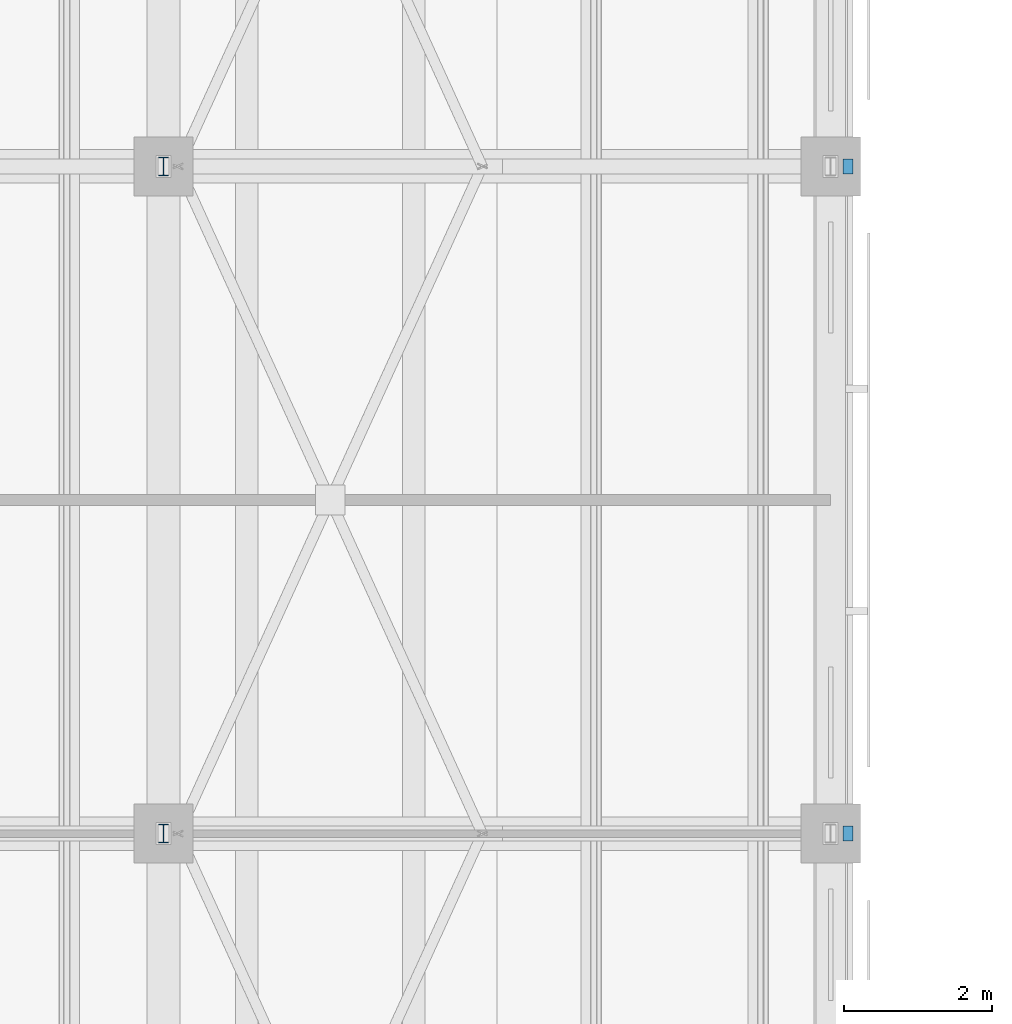
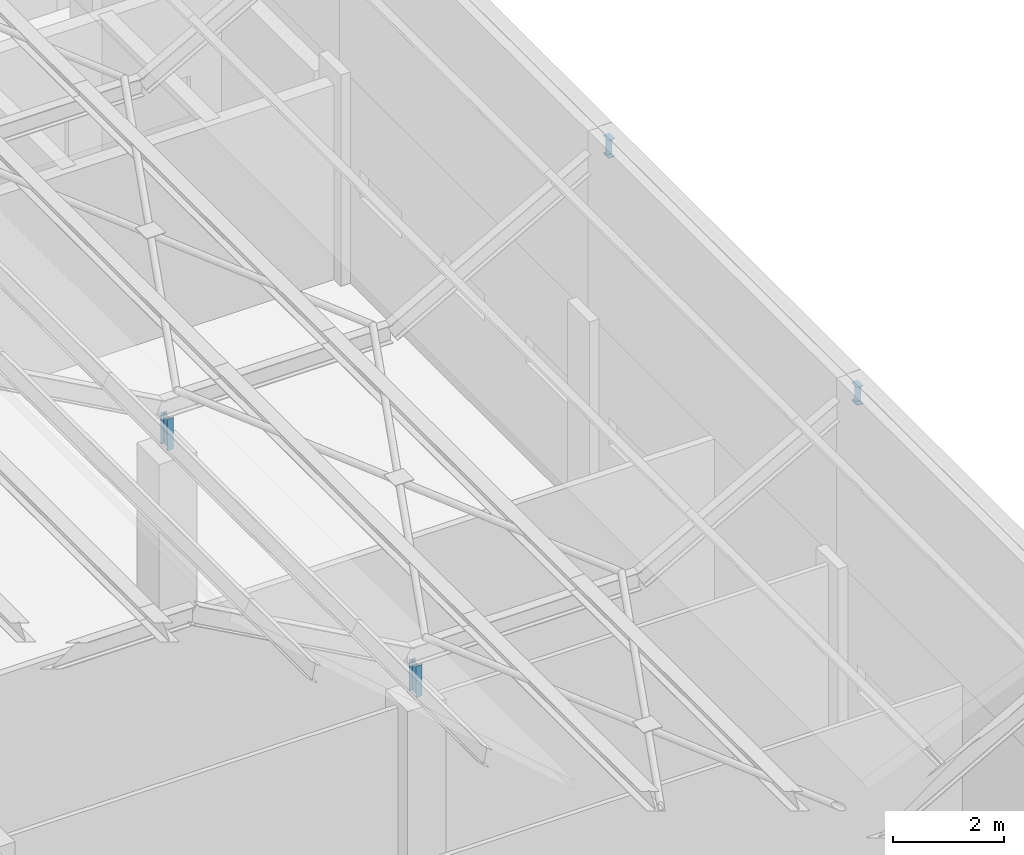
# One storey, part 231 of 437: 4 members.
"""IFC4 building model written with IfcOpenShell, lengths in metres."""

from ifc_helpers import new_model, si_unit, direction, frame, origin, origin_2d, place, context, subcontext, project, spatial, i_section, extrude, material, material_profile, profile_set, type_object, element, save


model = new_model("IFC4")

# Units and contexts
model_context = context("Model", 3, precision=1e-05, world=origin(), true_north=direction((0.0, 1.0)))
body_context = subcontext(model_context, "Body", "Model", "MODEL_VIEW")
ifc_project = project(units=[si_unit("LENGTHUNIT", "METRE"), si_unit("AREAUNIT", "SQUARE_METRE"), si_unit("VOLUMEUNIT", "CUBIC_METRE"), si_unit("PLANEANGLEUNIT", "RADIAN"), si_unit("MASSUNIT", "GRAM", prefix="KILO")], contexts=[model_context])

# Site, building, storey
site_placement = place(None, origin())
site = spatial("IfcSite", under=ifc_project, at=site_placement, CompositionType="ELEMENT")
building_placement = place(site_placement, origin())
building = spatial("IfcBuilding", under=site, at=building_placement, Name="Opaline Strait Convention Centre", CompositionType="ELEMENT")
storey_placement = place(building_placement, frame((0.0, 0.0, 11.5)))
storey = spatial("IfcBuildingStorey", under=building, at=storey_placement, Name="L02", CompositionType="ELEMENT", Elevation=11.5)

# Members
ifc_material = material(Name="Steel Q355B", Category="steel")
ifc_material_profile_1 = material_profile(ifc_material, i_section(OverallWidth=0.125, OverallDepth=0.25, WebThickness=0.006103515625, FlangeThickness=0.009033203125, FilletRadius=0.008056640625, at=origin_2d()), Name="HN 250x125x6x9")
ifc_profile_set_1 = profile_set([ifc_material_profile_1], Name="Steel Q355B")
member_type_1 = type_object("IfcMemberType", Name="Roof post HN 250x125x6x9", PredefinedType="STRUT", material=ifc_profile_set_1)
for number, where, z_axis, x_axis, name in (
    (1, (72.0, 63.0, 4.68994140625), (0.0, 0.0, 1.0), (1.0, 0.0, 0.0), "RP1 roof post at 72/63"),
    (2, (72.0, 72.0, 4.68994140625), (0.0, 0.0, 1.0), (1.0, 0.0, 0.0), "RP1 roof post at 72/72"),
):
    element("IfcMember", number, at=place(storey_placement, frame(where, z_axis=z_axis, x_axis=x_axis)), inside=storey, type_object=member_type_1, Name=name, PredefinedType="STRUT", context=body_context, shape_type="SweptSolid", body=[
        extrude(i_section(OverallWidth=0.125, OverallDepth=0.25, WebThickness=0.006103515625, FlangeThickness=0.009033203125, FilletRadius=0.008056640625, at=origin_2d()), origin(), (0.0, 0.0, 1.0), 0.695068359375),
    ])
ifc_material_profile_2 = material_profile(ifc_material, i_section(OverallWidth=0.199951171875, OverallDepth=0.39990234375, WebThickness=0.008056640625, FlangeThickness=0.012939453125, FilletRadius=0.012939453125, at=origin_2d()), Name="HN 400x200x8x13")
ifc_profile_set_2 = profile_set([ifc_material_profile_2], Name="Steel Q355B")
member_type_2 = type_object("IfcMemberType", Name="Roof rafter HN 400x200x8x13", PredefinedType="RAFTER", material=ifc_profile_set_2)
for number, where, z_axis, x_axis, name in (
    (3, (81.16845703125, 63.0, 8.10009765625), (1.0, 0.0, 0.0), (0.0, 1.0, 0.0), "RR1 rafter line 7 facet 18"),
    (4, (81.16845703125, 72.0, 8.10009765625), (1.0, 0.0, 0.0), (0.0, 1.0, 0.0), "RR1 rafter line 8 facet 18"),
):
    element("IfcMember", number, at=place(storey_placement, frame(where, z_axis=z_axis, x_axis=x_axis)), inside=storey, type_object=member_type_2, Name=name, PredefinedType="RAFTER", context=body_context, shape_type="SweptSolid", body=[
        extrude(i_section(OverallWidth=0.199951171875, OverallDepth=0.39990234375, WebThickness=0.008056640625, FlangeThickness=0.012939453125, FilletRadius=0.012939453125, at=origin_2d()), origin(), (0.0, 0.0, 1.0), 0.131591796875),
    ])

save(model, "model.ifc")
